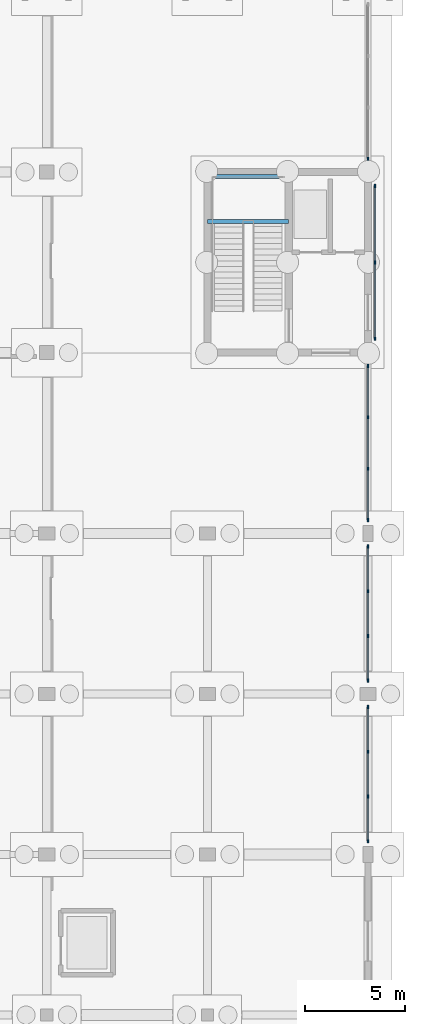
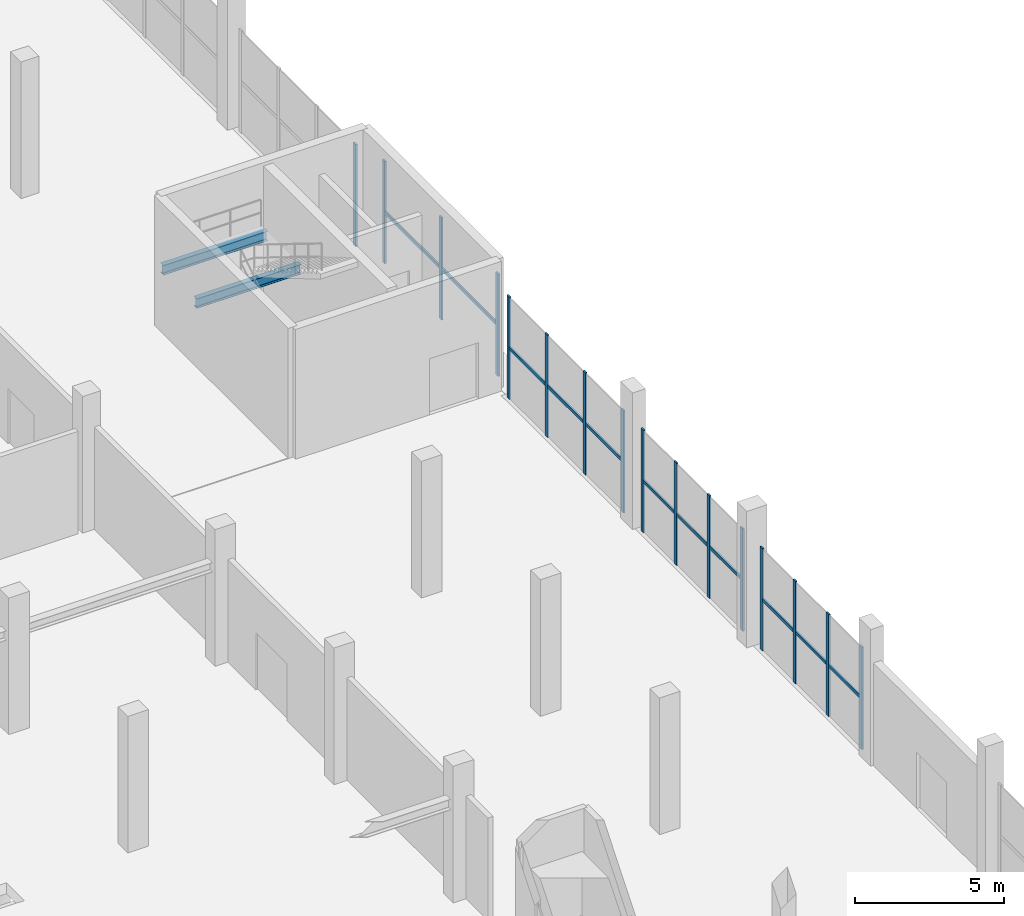
# One storey, part 56 of 98: 20 members, 2 beams, 5 elements without a shape of their own.
"""IFC4 building model written with IfcOpenShell, lengths in metres."""

from ifc_helpers import new_model, si_unit, derived_unit, direction, frame, origin, origin_2d, place, context, subcontext, project, spatial, rectangle, i_section, extrude, material, layer, layer_set, material_profile, profile_set, type_object, element, aggregate, save


model = new_model("IFC4")

# Units and contexts
model_context = context("Model", 3, precision=1e-05, world=origin(), true_north=direction((0.0, 1.0)))
body_context = subcontext(model_context, "Body", "Model", "MODEL_VIEW")
ifc_project = project(units=[si_unit("LENGTHUNIT", "METRE"), si_unit("AREAUNIT", "SQUARE_METRE"), si_unit("VOLUMEUNIT", "CUBIC_METRE"), si_unit("PLANEANGLEUNIT", "RADIAN"), si_unit("MASSUNIT", "GRAM", prefix="KILO"), si_unit("THERMODYNAMICTEMPERATUREUNIT", "KELVIN"), derived_unit("THERMALTRANSMITTANCEUNIT", [(si_unit("POWERUNIT", "WATT"), 1), (si_unit("AREAUNIT", "SQUARE_METRE"), -1), (si_unit("THERMODYNAMICTEMPERATUREUNIT", "KELVIN"), -1)])], contexts=[model_context])

# Site, building, storey
site_placement = place(None, origin())
site = spatial("IfcSite", under=ifc_project, at=site_placement, CompositionType="ELEMENT")
building_placement = place(site_placement, origin())
building = spatial("IfcBuilding", under=site, at=building_placement, Name="Haiyu Intermodal Mobility Hub", CompositionType="ELEMENT")
storey_placement = place(building_placement, origin())
storey = spatial("IfcBuildingStorey", under=building, at=storey_placement, Name="L00", CompositionType="ELEMENT", Elevation=0.0)

# Beams
ifc_material_1 = material(Name="Steel Q355C", Category="steel")
ifc_material_profile_1 = material_profile(ifc_material_1, i_section(OverallWidth=0.199951171875, OverallDepth=0.39990234375, WebThickness=0.008056640625, FlangeThickness=0.012939453125, FilletRadius=0.01611328125, at=origin_2d()), Name="HN400x200x8x13")
ifc_profile_set_1 = profile_set([ifc_material_profile_1], Name="Steel Q355C")
beam_type = type_object("IfcBeamType", Name="BM-SB08", PredefinedType="JOIST", material=ifc_profile_set_1)
for number, where, z_axis, x_axis, name in (
    (1, (202.0, 119.530029296875, 2.375), (1.0, 0.0, 0.0), (0.0, 1.0, 0.0), "Stair Half-Landing Front Beam C10-L00"),
    (2, (202.0, 121.780029296875, 2.375), (1.0, 0.0, 0.0), (0.0, 1.0, 0.0), "Stair Half-Landing Rear Beam C10-L00"),
):
    element("IfcBeam", number, at=place(storey_placement, frame(where, z_axis=z_axis, x_axis=x_axis)), inside=storey, type_object=beam_type, Name=name, PredefinedType="JOIST", context=body_context, shape_type="SweptSolid", body=[
        extrude(i_section(OverallWidth=0.199951171875, OverallDepth=0.39990234375, WebThickness=0.008056640625, FlangeThickness=0.012939453125, FilletRadius=0.01611328125, at=origin_2d()), origin(), (0.0, 0.0, 1.0), 4.050048828125),
    ])

# Curtain wall, members
ifc_material_2 = material(Name="Low-e laminated insulating glass", Category="glass")
ifc_layer = layer(ifc_material_2, 0.2099609375)
ifc_layer_set = layer_set([ifc_layer], Name="Low-e laminated insulating glass")
curtain_wall_type = type_object("IfcCurtainWallType", Name="CW-CW04", PredefinedType="NOTDEFINED", material=ifc_layer_set)
curtain_wall_1_placement = place(storey_placement, origin())
curtain_wall_1 = element("IfcCurtainWall", 3, at=curtain_wall_1_placement, inside=storey, type_object=curtain_wall_type, Name="Curtain Wall CW-V6E-L00-130", PredefinedType="NOTDEFINED")
ifc_material_3 = material(Name="Anodised aluminium 6063-T6", Category="aluminium")
ifc_material_profile_2 = material_profile(ifc_material_3, rectangle(XDim=0.06494140625, YDim=0.1650390625, at=origin_2d()), Name="ALU65x165")
ifc_profile_set_2 = profile_set([ifc_material_profile_2], Name="Anodised aluminium 6063-T6")
member_type_1 = type_object("IfcMemberType", Name="CWM-ML02", PredefinedType="MULLION", material=ifc_profile_set_2)
member_1_placement = place(storey_placement, frame((210.0, 88.659912109375, 0.0), z_axis=(0.0, 0.0, 1.0), x_axis=(1.0, 0.0, 0.0)))
member_1 = element("IfcMember", 4, at=member_1_placement, type_object=member_type_1, Name="CW-V6E-L00-130-ML01", PredefinedType="MULLION", context=body_context, shape_type="SweptSolid", body=[
    extrude(rectangle(XDim=0.06494140625, YDim=0.1650390625, at=origin_2d()), origin(), (0.0, 0.0, 1.0), 4.199951171875),
])
member_2_placement = place(storey_placement, frame((210.0, 90.886962890625, 0.0), z_axis=(0.0, 0.0, 1.0), x_axis=(1.0, 0.0, 0.0)))
member_2 = element("IfcMember", 5, at=member_2_placement, type_object=member_type_1, Name="CW-V6E-L00-130-ML02", PredefinedType="MULLION", context=body_context, shape_type="SweptSolid", body=[
    extrude(rectangle(XDim=0.06494140625, YDim=0.1650390625, at=origin_2d()), origin(), (0.0, 0.0, 1.0), 4.199951171875),
])
member_3_placement = place(storey_placement, frame((210.0, 93.113037109375, 0.0), z_axis=(0.0, 0.0, 1.0), x_axis=(1.0, 0.0, 0.0)))
member_3 = element("IfcMember", 6, at=member_3_placement, type_object=member_type_1, Name="CW-V6E-L00-130-ML03", PredefinedType="MULLION", context=body_context, shape_type="SweptSolid", body=[
    extrude(rectangle(XDim=0.06494140625, YDim=0.1650390625, at=origin_2d()), origin(), (0.0, 0.0, 1.0), 4.199951171875),
])
member_4_placement = place(storey_placement, frame((210.0, 95.340087890625, 0.0), z_axis=(0.0, 0.0, 1.0), x_axis=(1.0, 0.0, 0.0)))
member_4 = element("IfcMember", 7, at=member_4_placement, type_object=member_type_1, Name="CW-V6E-L00-130-ML04", PredefinedType="MULLION", context=body_context, shape_type="SweptSolid", body=[
    extrude(rectangle(XDim=0.06494140625, YDim=0.1650390625, at=origin_2d()), origin(), (0.0, 0.0, 1.0), 4.199951171875),
])

curtain_wall_2_placement = place(storey_placement, origin())
curtain_wall_2 = element("IfcCurtainWall", 8, at=curtain_wall_2_placement, inside=storey, type_object=curtain_wall_type, Name="Curtain Wall CW-V6E-L00-131", PredefinedType="NOTDEFINED")
member_5_placement = place(storey_placement, frame((210.0, 96.659912109375, 0.0), z_axis=(0.0, 0.0, 1.0), x_axis=(1.0, 0.0, 0.0)))
member_5 = element("IfcMember", 9, at=member_5_placement, type_object=member_type_1, Name="CW-V6E-L00-131-ML01", PredefinedType="MULLION", context=body_context, shape_type="SweptSolid", body=[
    extrude(rectangle(XDim=0.06494140625, YDim=0.1650390625, at=origin_2d()), origin(), (0.0, 0.0, 1.0), 4.199951171875),
])
member_6_placement = place(storey_placement, frame((210.0, 98.886962890625, 0.0), z_axis=(0.0, 0.0, 1.0), x_axis=(1.0, 0.0, 0.0)))
member_6 = element("IfcMember", 10, at=member_6_placement, type_object=member_type_1, Name="CW-V6E-L00-131-ML02", PredefinedType="MULLION", context=body_context, shape_type="SweptSolid", body=[
    extrude(rectangle(XDim=0.06494140625, YDim=0.1650390625, at=origin_2d()), origin(), (0.0, 0.0, 1.0), 4.199951171875),
])
member_7_placement = place(storey_placement, frame((210.0, 101.113037109375, 0.0), z_axis=(0.0, 0.0, 1.0), x_axis=(1.0, 0.0, 0.0)))
member_7 = element("IfcMember", 11, at=member_7_placement, type_object=member_type_1, Name="CW-V6E-L00-131-ML03", PredefinedType="MULLION", context=body_context, shape_type="SweptSolid", body=[
    extrude(rectangle(XDim=0.06494140625, YDim=0.1650390625, at=origin_2d()), origin(), (0.0, 0.0, 1.0), 4.199951171875),
])
member_8_placement = place(storey_placement, frame((210.0, 103.340087890625, 0.0), z_axis=(0.0, 0.0, 1.0), x_axis=(1.0, 0.0, 0.0)))
member_8 = element("IfcMember", 12, at=member_8_placement, type_object=member_type_1, Name="CW-V6E-L00-131-ML04", PredefinedType="MULLION", context=body_context, shape_type="SweptSolid", body=[
    extrude(rectangle(XDim=0.06494140625, YDim=0.1650390625, at=origin_2d()), origin(), (0.0, 0.0, 1.0), 4.199951171875),
])

curtain_wall_3_placement = place(storey_placement, origin())
curtain_wall_3 = element("IfcCurtainWall", 13, at=curtain_wall_3_placement, inside=storey, type_object=curtain_wall_type, Name="Curtain Wall CW-V6E-L00-132", PredefinedType="NOTDEFINED")
member_9_placement = place(storey_placement, frame((210.0, 104.659912109375, 0.0), z_axis=(0.0, 0.0, 1.0), x_axis=(1.0, 0.0, 0.0)))
member_9 = element("IfcMember", 14, at=member_9_placement, type_object=member_type_1, Name="CW-V6E-L00-132-ML01", PredefinedType="MULLION", context=body_context, shape_type="SweptSolid", body=[
    extrude(rectangle(XDim=0.06494140625, YDim=0.1650390625, at=origin_2d()), origin(), (0.0, 0.0, 1.0), 4.199951171875),
])
member_10_placement = place(storey_placement, frame((210.0, 107.219970703125, 0.0), z_axis=(0.0, 0.0, 1.0), x_axis=(1.0, 0.0, 0.0)))
member_10 = element("IfcMember", 15, at=member_10_placement, type_object=member_type_1, Name="CW-V6E-L00-132-ML02", PredefinedType="MULLION", context=body_context, shape_type="SweptSolid", body=[
    extrude(rectangle(XDim=0.06494140625, YDim=0.1650390625, at=origin_2d()), origin(), (0.0, 0.0, 1.0), 4.199951171875),
])
member_11_placement = place(storey_placement, frame((210.0, 109.780029296875, 0.0), z_axis=(0.0, 0.0, 1.0), x_axis=(1.0, 0.0, 0.0)))
member_11 = element("IfcMember", 16, at=member_11_placement, type_object=member_type_1, Name="CW-V6E-L00-132-ML03", PredefinedType="MULLION", context=body_context, shape_type="SweptSolid", body=[
    extrude(rectangle(XDim=0.06494140625, YDim=0.1650390625, at=origin_2d()), origin(), (0.0, 0.0, 1.0), 4.199951171875),
])
member_12_placement = place(storey_placement, frame((210.0, 112.340087890625, 0.0), z_axis=(0.0, 0.0, 1.0), x_axis=(1.0, 0.0, 0.0)))
member_12 = element("IfcMember", 17, at=member_12_placement, type_object=member_type_1, Name="CW-V6E-L00-132-ML04", PredefinedType="MULLION", context=body_context, shape_type="SweptSolid", body=[
    extrude(rectangle(XDim=0.06494140625, YDim=0.1650390625, at=origin_2d()), origin(), (0.0, 0.0, 1.0), 4.199951171875),
])

# Curtain wall, member
curtain_wall_4_placement = place(storey_placement, origin())
curtain_wall_4 = element("IfcCurtainWall", 18, at=curtain_wall_4_placement, inside=storey, type_object=curtain_wall_type, Name="Curtain Wall CW-V6E-L00-133", PredefinedType="NOTDEFINED")
member_13_placement = place(storey_placement, frame((210.0, 122.659912109375, 0.0), z_axis=(0.0, 0.0, 1.0), x_axis=(1.0, 0.0, 0.0)))
member_13 = element("IfcMember", 19, at=member_13_placement, type_object=member_type_1, Name="CW-V6E-L00-133-ML01", PredefinedType="MULLION", context=body_context, shape_type="SweptSolid", body=[
    extrude(rectangle(XDim=0.06494140625, YDim=0.1650390625, at=origin_2d()), origin(), (0.0, 0.0, 1.0), 4.199951171875),
])
aggregate(curtain_wall_4, [member_13])

# Curtain wall, members
curtain_wall_5_placement = place(storey_placement, origin())
curtain_wall_5 = element("IfcCurtainWall", 20, at=curtain_wall_5_placement, inside=storey, type_object=curtain_wall_type, Name="Curtain Wall CW-ECORE-L00-183", PredefinedType="NOTDEFINED")
member_14_placement = place(storey_placement, frame((210.35009765625, 113.68994140625, 0.0), z_axis=(0.0, 0.0, 1.0), x_axis=(1.0, 0.0, 0.0)))
member_14 = element("IfcMember", 21, at=member_14_placement, type_object=member_type_1, Name="CW-ECORE-L00-183-ML01", PredefinedType="MULLION", context=body_context, shape_type="SweptSolid", body=[
    extrude(rectangle(XDim=0.06494140625, YDim=0.1650390625, at=origin_2d()), origin(), (0.0, 0.0, 1.0), 4.199951171875),
])
member_15_placement = place(storey_placement, frame((210.35009765625, 117.5, 0.0), z_axis=(0.0, 0.0, 1.0), x_axis=(1.0, 0.0, 0.0)))
member_15 = element("IfcMember", 22, at=member_15_placement, type_object=member_type_1, Name="CW-ECORE-L00-183-ML02", PredefinedType="MULLION", context=body_context, shape_type="SweptSolid", body=[
    extrude(rectangle(XDim=0.06494140625, YDim=0.1650390625, at=origin_2d()), origin(), (0.0, 0.0, 1.0), 4.199951171875),
])
member_16_placement = place(storey_placement, frame((210.35009765625, 121.31005859375, 0.0), z_axis=(0.0, 0.0, 1.0), x_axis=(1.0, 0.0, 0.0)))
member_16 = element("IfcMember", 23, at=member_16_placement, type_object=member_type_1, Name="CW-ECORE-L00-183-ML03", PredefinedType="MULLION", context=body_context, shape_type="SweptSolid", body=[
    extrude(rectangle(XDim=0.06494140625, YDim=0.1650390625, at=origin_2d()), origin(), (0.0, 0.0, 1.0), 4.199951171875),
])

# Member
ifc_material_profile_3 = material_profile(ifc_material_3, rectangle(XDim=0.06494140625, YDim=0.135009765625, at=origin_2d()), Name="ALU65x135")
ifc_profile_set_3 = profile_set([ifc_material_profile_3], Name="Anodised aluminium 6063-T6")
member_type_2 = type_object("IfcMemberType", Name="CWM-TR02", PredefinedType="USERDEFINED", material=ifc_profile_set_3)
member_17_placement = place(storey_placement, frame((210.0, 88.6201171875, 2.10009765625), z_axis=(0.0, 1.0, 0.0), x_axis=(-1.0, 0.0, 0.0)))
member_17 = element("IfcMember", 24, at=member_17_placement, type_object=member_type_2, Name="CW-V6E-L00-130-TR01", ObjectType="TRANSOM", PredefinedType="USERDEFINED", context=body_context, shape_type="SweptSolid", body=[
    extrude(rectangle(XDim=0.06494140625, YDim=0.135009765625, at=origin_2d()), origin(), (0.0, 0.0, 1.0), 6.759765625),
])

aggregate(curtain_wall_1, [member_1, member_2, member_3, member_4, member_17])

member_18_placement = place(storey_placement, frame((210.0, 96.6201171875, 2.10009765625), z_axis=(0.0, 1.0, 0.0), x_axis=(-1.0, 0.0, 0.0)))
member_18 = element("IfcMember", 25, at=member_18_placement, type_object=member_type_2, Name="CW-V6E-L00-131-TR01", ObjectType="TRANSOM", PredefinedType="USERDEFINED", context=body_context, shape_type="SweptSolid", body=[
    extrude(rectangle(XDim=0.06494140625, YDim=0.135009765625, at=origin_2d()), origin(), (0.0, 0.0, 1.0), 6.759765625),
])

aggregate(curtain_wall_2, [member_5, member_6, member_7, member_8, member_18])

member_19_placement = place(storey_placement, frame((210.0, 104.6201171875, 2.10009765625), z_axis=(0.0, 1.0, 0.0), x_axis=(-1.0, 0.0, 0.0)))
member_19 = element("IfcMember", 26, at=member_19_placement, type_object=member_type_2, Name="CW-V6E-L00-132-TR01", ObjectType="TRANSOM", PredefinedType="USERDEFINED", context=body_context, shape_type="SweptSolid", body=[
    extrude(rectangle(XDim=0.06494140625, YDim=0.135009765625, at=origin_2d()), origin(), (0.0, 0.0, 1.0), 7.759765625),
])

aggregate(curtain_wall_3, [member_9, member_10, member_11, member_12, member_19])

member_20_placement = place(storey_placement, frame((210.35009765625, 113.64990234375, 2.10009765625), z_axis=(0.0, 1.0, 0.0), x_axis=(-1.0, 0.0, 0.0)))
member_20 = element("IfcMember", 27, at=member_20_placement, type_object=member_type_2, Name="CW-ECORE-L00-183-TR01", ObjectType="TRANSOM", PredefinedType="USERDEFINED", context=body_context, shape_type="SweptSolid", body=[
    extrude(rectangle(XDim=0.06494140625, YDim=0.135009765625, at=origin_2d()), origin(), (0.0, 0.0, 1.0), 7.7001953125),
])

aggregate(curtain_wall_5, [member_14, member_15, member_16, member_20])

save(model, "model.ifc")
